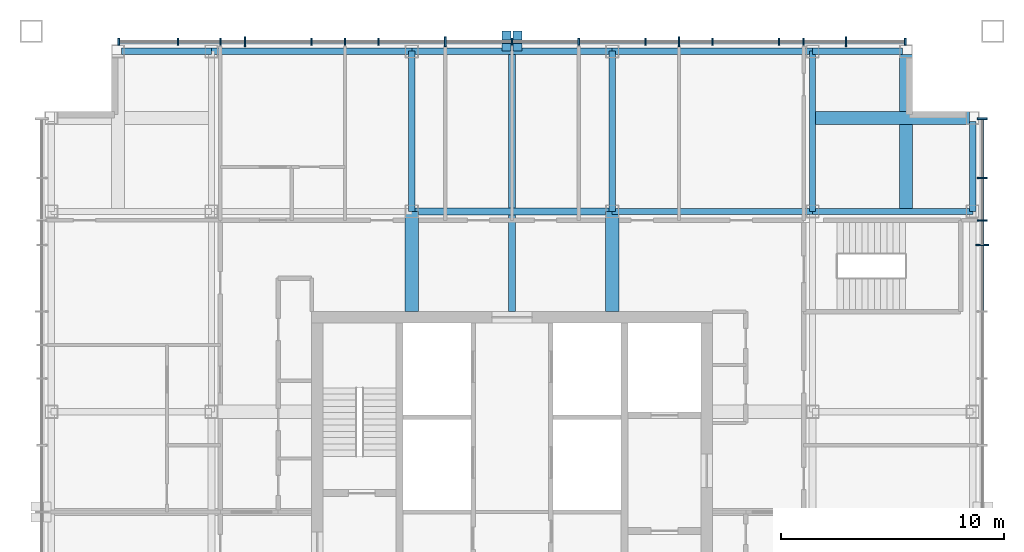
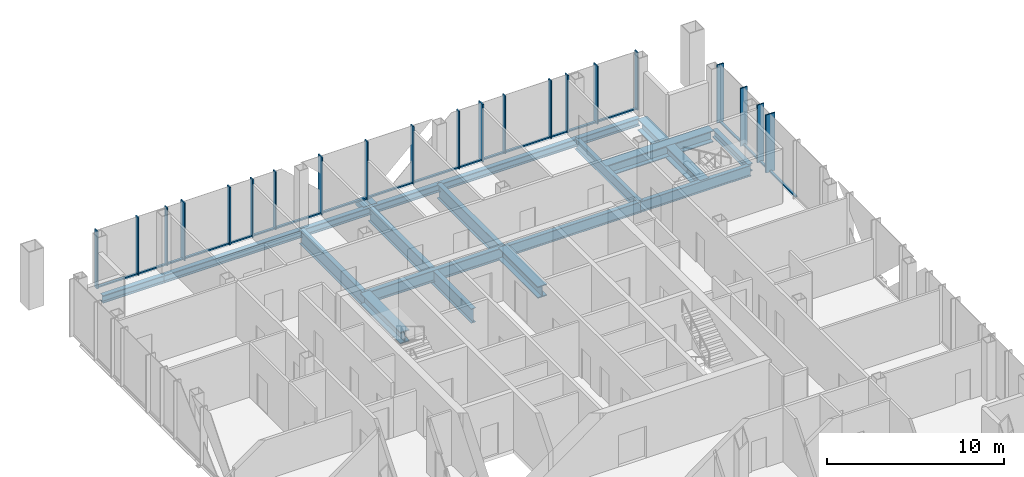
# One storey, part 5 of 12: 43 members, 17 beams, 2 elements without a shape of their own.
"""IFC4 building model written with IfcOpenShell, lengths in metres."""

from ifc_helpers import new_model, si_unit, direction, frame, origin, origin_2d, place, context, subcontext, project, spatial, rectangle, hollow_rectangle, i_section, extrude, material, layer, layer_set, material_profile, profile_set, type_object, element, aggregate, save


model = new_model("IFC4")

# Units and contexts
model_context = context("Model", 3, precision=1e-05, world=origin(), true_north=direction((0.0, 1.0)))
body_context = subcontext(model_context, "Body", "Model", "MODEL_VIEW")
ifc_project = project(units=[si_unit("LENGTHUNIT", "METRE"), si_unit("AREAUNIT", "SQUARE_METRE"), si_unit("VOLUMEUNIT", "CUBIC_METRE"), si_unit("PLANEANGLEUNIT", "RADIAN"), si_unit("MASSUNIT", "GRAM", prefix="KILO")], contexts=[model_context])

# Site, building, storey
site_placement = place(None, origin())
site = spatial("IfcSite", under=ifc_project, at=site_placement, CompositionType="ELEMENT")
building_placement = place(site_placement, origin())
building = spatial("IfcBuilding", under=site, at=building_placement, Name="Malebo Sky Hospital", CompositionType="ELEMENT")
storey_placement = place(building_placement, frame((0.0, 0.0, 270.0)))
storey = spatial("IfcBuildingStorey", under=building, at=storey_placement, Name="L65", CompositionType="ELEMENT", Elevation=270.0)

# Curtain wall, members
ifc_material_1 = material(Name="Anodised aluminium, natural silver", Category="aluminium")
ifc_layer_1 = layer(ifc_material_1, 0.25)
ifc_layer_set_1 = layer_set([ifc_layer_1], Name="WARD CURTAIN WALL NORTH AND SOUTH")
curtain_wall_type_1 = type_object("IfcCurtainWallType", Name="WARD CURTAIN WALL NORTH AND SOUTH", PredefinedType="NOTDEFINED", material=ifc_layer_set_1)
curtain_wall_1_placement = place(storey_placement, origin())
curtain_wall_1 = element("IfcCurtainWall", 1, at=curtain_wall_1_placement, inside=storey, type_object=curtain_wall_type_1, Name="NS curtain wall N", PredefinedType="NOTDEFINED")
ifc_material_profile_1 = material_profile(ifc_material_1, rectangle(XDim=0.14990234375, YDim=0.10009765625, at=origin_2d()), Name="ALUMINIUM TRANSOM 150x100")
ifc_profile_set_1 = profile_set([ifc_material_profile_1], Name="Anodised aluminium, natural silver")
member_type_1 = type_object("IfcMemberType", Name="ALUMINIUM TRANSOM 150x100", PredefinedType="USERDEFINED", material=ifc_profile_set_1)
member_1_placement = place(storey_placement, frame((42.375, 83.125, 0.050048828125), z_axis=(1.0, 0.0, 0.0), x_axis=(0.0, 1.0, 0.0)))
member_1 = element("IfcMember", 2, at=member_1_placement, type_object=member_type_1, Name="Transom 1", ObjectType="TRANSOM", PredefinedType="USERDEFINED", context=body_context, shape_type="SweptSolid", body=[
    extrude(rectangle(XDim=0.14990234375, YDim=0.10009765625, at=origin_2d()), origin(), (0.0, 0.0, 1.0), 2.58740234375),
])
member_2_placement = place(storey_placement, frame((45.03759765625, 83.125, 0.050048828125), z_axis=(1.0, 0.0, 0.0), x_axis=(0.0, 1.0, 0.0)))
member_2 = element("IfcMember", 3, at=member_2_placement, type_object=member_type_1, Name="Transom 2", ObjectType="TRANSOM", PredefinedType="USERDEFINED", context=body_context, shape_type="SweptSolid", body=[
    extrude(rectangle(XDim=0.14990234375, YDim=0.10009765625, at=origin_2d()), origin(), (0.0, 0.0, 1.0), 1.824951171875),
])
member_3_placement = place(storey_placement, frame((46.9375, 83.125, 0.050048828125), z_axis=(1.0, 0.0, 0.0), x_axis=(0.0, 1.0, 0.0)))
member_3 = element("IfcMember", 4, at=member_3_placement, type_object=member_type_1, Name="Transom 3", ObjectType="TRANSOM", PredefinedType="USERDEFINED", context=body_context, shape_type="SweptSolid", body=[
    extrude(rectangle(XDim=0.14990234375, YDim=0.10009765625, at=origin_2d()), origin(), (0.0, 0.0, 1.0), 1.02490234375),
])
member_4_placement = place(storey_placement, frame((48.03759765625, 83.125, 0.050048828125), z_axis=(1.0, 0.0, 0.0), x_axis=(0.0, 1.0, 0.0)))
member_4 = element("IfcMember", 5, at=member_4_placement, type_object=member_type_1, Name="Transom 4", ObjectType="TRANSOM", PredefinedType="USERDEFINED", context=body_context, shape_type="SweptSolid", body=[
    extrude(rectangle(XDim=0.14990234375, YDim=0.10009765625, at=origin_2d()), origin(), (0.0, 0.0, 1.0), 2.9248046875),
])
member_5_placement = place(storey_placement, frame((51.03759765625, 83.125, 0.050048828125), z_axis=(1.0, 0.0, 0.0), x_axis=(0.0, 1.0, 0.0)))
member_5 = element("IfcMember", 6, at=member_5_placement, type_object=member_type_1, Name="Transom 5", ObjectType="TRANSOM", PredefinedType="USERDEFINED", context=body_context, shape_type="SweptSolid", body=[
    extrude(rectangle(XDim=0.14990234375, YDim=0.10009765625, at=origin_2d()), origin(), (0.0, 0.0, 1.0), 1.4248046875),
])
member_6_placement = place(storey_placement, frame((52.53759765625, 83.125, 0.050048828125), z_axis=(1.0, 0.0, 0.0), x_axis=(0.0, 1.0, 0.0)))
member_6 = element("IfcMember", 7, at=member_6_placement, type_object=member_type_1, Name="Transom 6", ObjectType="TRANSOM", PredefinedType="USERDEFINED", context=body_context, shape_type="SweptSolid", body=[
    extrude(rectangle(XDim=0.14990234375, YDim=0.10009765625, at=origin_2d()), origin(), (0.0, 0.0, 1.0), 1.4248046875),
])
member_7_placement = place(storey_placement, frame((54.03759765625, 83.125, 0.050048828125), z_axis=(1.0, 0.0, 0.0), x_axis=(0.0, 1.0, 0.0)))
member_7 = element("IfcMember", 8, at=member_7_placement, type_object=member_type_1, Name="Transom 7", ObjectType="TRANSOM", PredefinedType="USERDEFINED", context=body_context, shape_type="SweptSolid", body=[
    extrude(rectangle(XDim=0.14990234375, YDim=0.10009765625, at=origin_2d()), origin(), (0.0, 0.0, 1.0), 2.9248046875),
])
member_8_placement = place(storey_placement, frame((57.03759765625, 83.125, 0.050048828125), z_axis=(1.0, 0.0, 0.0), x_axis=(0.0, 1.0, 0.0)))
member_8 = element("IfcMember", 9, at=member_8_placement, type_object=member_type_1, Name="Transom 8", ObjectType="TRANSOM", PredefinedType="USERDEFINED", context=body_context, shape_type="SweptSolid", body=[
    extrude(rectangle(XDim=0.14990234375, YDim=0.10009765625, at=origin_2d()), origin(), (0.0, 0.0, 1.0), 2.9248046875),
])
member_9_placement = place(storey_placement, frame((60.03759765625, 83.125, 0.050048828125), z_axis=(1.0, 0.0, 0.0), x_axis=(0.0, 1.0, 0.0)))
member_9 = element("IfcMember", 10, at=member_9_placement, type_object=member_type_1, Name="Transom 9", ObjectType="TRANSOM", PredefinedType="USERDEFINED", context=body_context, shape_type="SweptSolid", body=[
    extrude(rectangle(XDim=0.14990234375, YDim=0.10009765625, at=origin_2d()), origin(), (0.0, 0.0, 1.0), 2.9248046875),
])
member_10_placement = place(storey_placement, frame((63.03759765625, 83.125, 0.050048828125), z_axis=(1.0, 0.0, 0.0), x_axis=(0.0, 1.0, 0.0)))
member_10 = element("IfcMember", 11, at=member_10_placement, type_object=member_type_1, Name="Transom 10", ObjectType="TRANSOM", PredefinedType="USERDEFINED", context=body_context, shape_type="SweptSolid", body=[
    extrude(rectangle(XDim=0.14990234375, YDim=0.10009765625, at=origin_2d()), origin(), (0.0, 0.0, 1.0), 2.9248046875),
])
member_11_placement = place(storey_placement, frame((66.03759765625, 83.125, 0.050048828125), z_axis=(1.0, 0.0, 0.0), x_axis=(0.0, 1.0, 0.0)))
member_11 = element("IfcMember", 12, at=member_11_placement, type_object=member_type_1, Name="Transom 11", ObjectType="TRANSOM", PredefinedType="USERDEFINED", context=body_context, shape_type="SweptSolid", body=[
    extrude(rectangle(XDim=0.14990234375, YDim=0.10009765625, at=origin_2d()), origin(), (0.0, 0.0, 1.0), 1.4248046875),
])
member_12_placement = place(storey_placement, frame((67.53759765625, 83.125, 0.050048828125), z_axis=(1.0, 0.0, 0.0), x_axis=(0.0, 1.0, 0.0)))
member_12 = element("IfcMember", 13, at=member_12_placement, type_object=member_type_1, Name="Transom 12", ObjectType="TRANSOM", PredefinedType="USERDEFINED", context=body_context, shape_type="SweptSolid", body=[
    extrude(rectangle(XDim=0.14990234375, YDim=0.10009765625, at=origin_2d()), origin(), (0.0, 0.0, 1.0), 1.4248046875),
])
member_13_placement = place(storey_placement, frame((69.03759765625, 83.125, 0.050048828125), z_axis=(1.0, 0.0, 0.0), x_axis=(0.0, 1.0, 0.0)))
member_13 = element("IfcMember", 14, at=member_13_placement, type_object=member_type_1, Name="Transom 13", ObjectType="TRANSOM", PredefinedType="USERDEFINED", context=body_context, shape_type="SweptSolid", body=[
    extrude(rectangle(XDim=0.14990234375, YDim=0.10009765625, at=origin_2d()), origin(), (0.0, 0.0, 1.0), 2.9248046875),
])
member_14_placement = place(storey_placement, frame((72.03759765625, 83.125, 0.050048828125), z_axis=(1.0, 0.0, 0.0), x_axis=(0.0, 1.0, 0.0)))
member_14 = element("IfcMember", 15, at=member_14_placement, type_object=member_type_1, Name="Transom 14", ObjectType="TRANSOM", PredefinedType="USERDEFINED", context=body_context, shape_type="SweptSolid", body=[
    extrude(rectangle(XDim=0.14990234375, YDim=0.10009765625, at=origin_2d()), origin(), (0.0, 0.0, 1.0), 1.02490234375),
])
member_15_placement = place(storey_placement, frame((73.137451171875, 83.125, 0.050048828125), z_axis=(1.0, 0.0, 0.0), x_axis=(0.0, 1.0, 0.0)))
member_15 = element("IfcMember", 16, at=member_15_placement, type_object=member_type_1, Name="Transom 15", ObjectType="TRANSOM", PredefinedType="USERDEFINED", context=body_context, shape_type="SweptSolid", body=[
    extrude(rectangle(XDim=0.14990234375, YDim=0.10009765625, at=origin_2d()), origin(), (0.0, 0.0, 1.0), 1.824951171875),
])
member_16_placement = place(storey_placement, frame((75.03759765625, 83.125, 0.050048828125), z_axis=(1.0, 0.0, 0.0), x_axis=(0.0, 1.0, 0.0)))
member_16 = element("IfcMember", 17, at=member_16_placement, type_object=member_type_1, Name="Transom 16", ObjectType="TRANSOM", PredefinedType="USERDEFINED", context=body_context, shape_type="SweptSolid", body=[
    extrude(rectangle(XDim=0.14990234375, YDim=0.10009765625, at=origin_2d()), origin(), (0.0, 0.0, 1.0), 2.58740234375),
])

ifc_layer_2 = layer(ifc_material_1, 0.25)
ifc_layer_set_2 = layer_set([ifc_layer_2], Name="WARD CURTAIN WALL EAST AND WEST")
curtain_wall_type_2 = type_object("IfcCurtainWallType", Name="WARD CURTAIN WALL EAST AND WEST", PredefinedType="NOTDEFINED", material=ifc_layer_set_2)
curtain_wall_2_placement = place(storey_placement, origin())
curtain_wall_2 = element("IfcCurtainWall", 18, at=curtain_wall_2_placement, inside=storey, type_object=curtain_wall_type_2, Name="EW curtain wall E", PredefinedType="NOTDEFINED")
member_17_placement = place(storey_placement, frame((81.125, 79.625, 0.050048828125), z_axis=(0.0, -1.0, 0.0), x_axis=(1.0, 0.0, 0.0)))
member_17 = element("IfcMember", 19, at=member_17_placement, type_object=member_type_1, Name="Transom 1", ObjectType="TRANSOM", PredefinedType="USERDEFINED", context=body_context, shape_type="SweptSolid", body=[
    extrude(rectangle(XDim=0.14990234375, YDim=0.10009765625, at=origin_2d()), origin(), (0.0, 0.0, 1.0), 2.58740234375),
])
member_18_placement = place(storey_placement, frame((81.125, 76.96240234375, 0.050048828125), z_axis=(0.0, -1.0, 0.0), x_axis=(1.0, 0.0, 0.0)))
member_18 = element("IfcMember", 20, at=member_18_placement, type_object=member_type_1, Name="Transom 2", ObjectType="TRANSOM", PredefinedType="USERDEFINED", context=body_context, shape_type="SweptSolid", body=[
    extrude(rectangle(XDim=0.14990234375, YDim=0.10009765625, at=origin_2d()), origin(), (0.0, 0.0, 1.0), 1.824951171875),
])
member_19_placement = place(storey_placement, frame((81.125, 75.0625, 0.050048828125), z_axis=(0.0, -1.0, 0.0), x_axis=(1.0, 0.0, 0.0)))
member_19 = element("IfcMember", 21, at=member_19_placement, type_object=member_type_1, Name="Transom 3", ObjectType="TRANSOM", PredefinedType="USERDEFINED", context=body_context, shape_type="SweptSolid", body=[
    extrude(rectangle(XDim=0.14990234375, YDim=0.10009765625, at=origin_2d()), origin(), (0.0, 0.0, 1.0), 1.02490234375),
])
member_20_placement = place(storey_placement, frame((81.125, 73.96240234375, 0.050048828125), z_axis=(0.0, -1.0, 0.0), x_axis=(1.0, 0.0, 0.0)))
member_20 = element("IfcMember", 22, at=member_20_placement, type_object=member_type_1, Name="Transom 4", ObjectType="TRANSOM", PredefinedType="USERDEFINED", context=body_context, shape_type="SweptSolid", body=[
    extrude(rectangle(XDim=0.14990234375, YDim=0.10009765625, at=origin_2d()), origin(), (0.0, 0.0, 1.0), 2.9248046875),
])

# Members
ifc_material_2 = material(Name="Steel S355", Category="steel")
ifc_material_profile_2 = material_profile(ifc_material_2, hollow_rectangle(XDim=0.39990234375, YDim=0.39990234375, WallThickness=0.02001953125, at=origin_2d()), Name="SHS 400x20")
ifc_profile_set_2 = profile_set([ifc_material_profile_2], Name="Steel S355")
member_type_2 = type_object("IfcMemberType", Name="BRACE STRUT SHS 400x20", PredefinedType="STRUT", material=ifc_profile_set_2)
for number, where, z_axis, x_axis, name in (
    (23, (59.759765625, 83.60009765625, -0.39990234375), (0.0, -1.0, 0.0), (1.0, 0.0, 0.0), "Brace strut DN1 L65"),
    (24, (60.240234375, 83.60009765625, -0.39990234375), (0.0, -1.0, 0.0), (1.0, 0.0, 0.0), "Brace strut DN2 L65"),
):
    element("IfcMember", number, at=place(storey_placement, frame(where, z_axis=z_axis, x_axis=x_axis)), inside=storey, type_object=member_type_2, Name=name, PredefinedType="STRUT", context=body_context, shape_type="SweptSolid", body=[
        extrude(hollow_rectangle(XDim=0.39990234375, YDim=0.39990234375, WallThickness=0.02001953125, at=origin_2d()), origin(), (0.0, 0.0, 1.0), 0.900146484375),
    ])

# Member
ifc_material_profile_3 = material_profile(ifc_material_1, rectangle(XDim=0.074951171875, YDim=0.300048828125, at=origin_2d()), Name="CW1 ALUMINIUM FIN MULLION 75x300")
ifc_profile_set_3 = profile_set([ifc_material_profile_3], Name="Anodised aluminium, natural silver")
member_type_3 = type_object("IfcMemberType", Name="CW1 ALUMINIUM FIN MULLION 75x300", PredefinedType="MULLION", material=ifc_profile_set_3)
member_21_placement = place(storey_placement, frame((42.33740234375, 83.125, 0.0), z_axis=(0.0, 0.0, 1.0), x_axis=(1.0, 0.0, 0.0)))
member_21 = element("IfcMember", 25, at=member_21_placement, type_object=member_type_3, Name="Fin mullion 1", PredefinedType="MULLION", context=body_context, shape_type="SweptSolid", body=[
    extrude(rectangle(XDim=0.074951171875, YDim=0.300048828125, at=origin_2d()), origin(), (0.0, 0.0, 1.0), 4.0),
])

member_22_placement = place(storey_placement, frame((45.0, 83.125, 0.0), z_axis=(0.0, 0.0, 1.0), x_axis=(1.0, 0.0, 0.0)))
member_22 = element("IfcMember", 26, at=member_22_placement, type_object=member_type_3, Name="Fin mullion 2", PredefinedType="MULLION", context=body_context, shape_type="SweptSolid", body=[
    extrude(rectangle(XDim=0.074951171875, YDim=0.300048828125, at=origin_2d()), origin(), (0.0, 0.0, 1.0), 4.0),
])

member_23_placement = place(storey_placement, frame((46.89990234375, 83.125, 0.0), z_axis=(0.0, 0.0, 1.0), x_axis=(1.0, 0.0, 0.0)))
member_23 = element("IfcMember", 27, at=member_23_placement, type_object=member_type_3, Name="Fin mullion 3", PredefinedType="MULLION", context=body_context, shape_type="SweptSolid", body=[
    extrude(rectangle(XDim=0.074951171875, YDim=0.300048828125, at=origin_2d()), origin(), (0.0, 0.0, 1.0), 4.0),
])

member_24_placement = place(storey_placement, frame((51.0, 83.125, 0.0), z_axis=(0.0, 0.0, 1.0), x_axis=(1.0, 0.0, 0.0)))
member_24 = element("IfcMember", 28, at=member_24_placement, type_object=member_type_3, Name="Fin mullion 5", PredefinedType="MULLION", context=body_context, shape_type="SweptSolid", body=[
    extrude(rectangle(XDim=0.074951171875, YDim=0.300048828125, at=origin_2d()), origin(), (0.0, 0.0, 1.0), 4.0),
])

member_25_placement = place(storey_placement, frame((52.5, 83.125, 0.0), z_axis=(0.0, 0.0, 1.0), x_axis=(1.0, 0.0, 0.0)))
member_25 = element("IfcMember", 29, at=member_25_placement, type_object=member_type_3, Name="Fin mullion 6", PredefinedType="MULLION", context=body_context, shape_type="SweptSolid", body=[
    extrude(rectangle(XDim=0.074951171875, YDim=0.300048828125, at=origin_2d()), origin(), (0.0, 0.0, 1.0), 4.0),
])

member_26_placement = place(storey_placement, frame((54.0, 83.125, 0.0), z_axis=(0.0, 0.0, 1.0), x_axis=(1.0, 0.0, 0.0)))
member_26 = element("IfcMember", 30, at=member_26_placement, type_object=member_type_3, Name="Fin mullion 7", PredefinedType="MULLION", context=body_context, shape_type="SweptSolid", body=[
    extrude(rectangle(XDim=0.074951171875, YDim=0.300048828125, at=origin_2d()), origin(), (0.0, 0.0, 1.0), 4.0),
])

member_27_placement = place(storey_placement, frame((60.0, 83.125, 0.0), z_axis=(0.0, 0.0, 1.0), x_axis=(1.0, 0.0, 0.0)))
member_27 = element("IfcMember", 31, at=member_27_placement, type_object=member_type_3, Name="Fin mullion 9", PredefinedType="MULLION", context=body_context, shape_type="SweptSolid", body=[
    extrude(rectangle(XDim=0.074951171875, YDim=0.300048828125, at=origin_2d()), origin(), (0.0, 0.0, 1.0), 4.0),
])

member_28_placement = place(storey_placement, frame((63.0, 83.125, 0.0), z_axis=(0.0, 0.0, 1.0), x_axis=(1.0, 0.0, 0.0)))
member_28 = element("IfcMember", 32, at=member_28_placement, type_object=member_type_3, Name="Fin mullion 10", PredefinedType="MULLION", context=body_context, shape_type="SweptSolid", body=[
    extrude(rectangle(XDim=0.074951171875, YDim=0.300048828125, at=origin_2d()), origin(), (0.0, 0.0, 1.0), 4.0),
])

member_29_placement = place(storey_placement, frame((66.0, 83.125, 0.0), z_axis=(0.0, 0.0, 1.0), x_axis=(1.0, 0.0, 0.0)))
member_29 = element("IfcMember", 33, at=member_29_placement, type_object=member_type_3, Name="Fin mullion 11", PredefinedType="MULLION", context=body_context, shape_type="SweptSolid", body=[
    extrude(rectangle(XDim=0.074951171875, YDim=0.300048828125, at=origin_2d()), origin(), (0.0, 0.0, 1.0), 4.0),
])

member_30_placement = place(storey_placement, frame((69.0, 83.125, 0.0), z_axis=(0.0, 0.0, 1.0), x_axis=(1.0, 0.0, 0.0)))
member_30 = element("IfcMember", 34, at=member_30_placement, type_object=member_type_3, Name="Fin mullion 13", PredefinedType="MULLION", context=body_context, shape_type="SweptSolid", body=[
    extrude(rectangle(XDim=0.074951171875, YDim=0.300048828125, at=origin_2d()), origin(), (0.0, 0.0, 1.0), 4.0),
])

member_31_placement = place(storey_placement, frame((72.0, 83.125, 0.0), z_axis=(0.0, 0.0, 1.0), x_axis=(1.0, 0.0, 0.0)))
member_31 = element("IfcMember", 35, at=member_31_placement, type_object=member_type_3, Name="Fin mullion 14", PredefinedType="MULLION", context=body_context, shape_type="SweptSolid", body=[
    extrude(rectangle(XDim=0.074951171875, YDim=0.300048828125, at=origin_2d()), origin(), (0.0, 0.0, 1.0), 4.0),
])

member_32_placement = place(storey_placement, frame((73.10009765625, 83.125, 0.0), z_axis=(0.0, 0.0, 1.0), x_axis=(1.0, 0.0, 0.0)))
member_32 = element("IfcMember", 36, at=member_32_placement, type_object=member_type_3, Name="Fin mullion 15", PredefinedType="MULLION", context=body_context, shape_type="SweptSolid", body=[
    extrude(rectangle(XDim=0.074951171875, YDim=0.300048828125, at=origin_2d()), origin(), (0.0, 0.0, 1.0), 4.0),
])

member_33_placement = place(storey_placement, frame((77.66259765625, 83.125, 0.0), z_axis=(0.0, 0.0, 1.0), x_axis=(1.0, 0.0, 0.0)))
member_33 = element("IfcMember", 37, at=member_33_placement, type_object=member_type_3, Name="Fin mullion 17", PredefinedType="MULLION", context=body_context, shape_type="SweptSolid", body=[
    extrude(rectangle(XDim=0.074951171875, YDim=0.300048828125, at=origin_2d()), origin(), (0.0, 0.0, 1.0), 4.0),
])

ifc_material_profile_4 = material_profile(ifc_material_1, rectangle(XDim=0.074951171875, YDim=0.449951171875, at=origin_2d()), Name="CW1 ALUMINIUM FIN MULLION 75x450")
ifc_profile_set_4 = profile_set([ifc_material_profile_4], Name="Anodised aluminium, natural silver")
member_type_4 = type_object("IfcMemberType", Name="CW1 ALUMINIUM FIN MULLION 75x450", PredefinedType="MULLION", material=ifc_profile_set_4)
member_34_placement = place(storey_placement, frame((48.0, 83.125, 0.0), z_axis=(0.0, 0.0, 1.0), x_axis=(1.0, 0.0, 0.0)))
member_34 = element("IfcMember", 38, at=member_34_placement, type_object=member_type_4, Name="Fin mullion 4", PredefinedType="MULLION", context=body_context, shape_type="SweptSolid", body=[
    extrude(rectangle(XDim=0.074951171875, YDim=0.449951171875, at=origin_2d()), origin(), (0.0, 0.0, 1.0), 4.0),
])

member_35_placement = place(storey_placement, frame((57.0, 83.125, 0.0), z_axis=(0.0, 0.0, 1.0), x_axis=(1.0, 0.0, 0.0)))
member_35 = element("IfcMember", 39, at=member_35_placement, type_object=member_type_4, Name="Fin mullion 8", PredefinedType="MULLION", context=body_context, shape_type="SweptSolid", body=[
    extrude(rectangle(XDim=0.074951171875, YDim=0.449951171875, at=origin_2d()), origin(), (0.0, 0.0, 1.0), 4.0),
])

member_36_placement = place(storey_placement, frame((67.5, 83.125, 0.0), z_axis=(0.0, 0.0, 1.0), x_axis=(1.0, 0.0, 0.0)))
member_36 = element("IfcMember", 40, at=member_36_placement, type_object=member_type_4, Name="Fin mullion 12", PredefinedType="MULLION", context=body_context, shape_type="SweptSolid", body=[
    extrude(rectangle(XDim=0.074951171875, YDim=0.449951171875, at=origin_2d()), origin(), (0.0, 0.0, 1.0), 4.0),
])

member_37_placement = place(storey_placement, frame((75.0, 83.125, 0.0), z_axis=(0.0, 0.0, 1.0), x_axis=(1.0, 0.0, 0.0)))
member_37 = element("IfcMember", 41, at=member_37_placement, type_object=member_type_4, Name="Fin mullion 16", PredefinedType="MULLION", context=body_context, shape_type="SweptSolid", body=[
    extrude(rectangle(XDim=0.074951171875, YDim=0.449951171875, at=origin_2d()), origin(), (0.0, 0.0, 1.0), 4.0),
])

aggregate(curtain_wall_1, [member_21, member_22, member_23, member_34, member_24, member_25, member_26, member_35, member_27, member_28, member_29, member_36, member_30, member_31, member_32, member_37, member_33, member_1, member_2, member_3, member_4, member_5, member_6, member_7, member_8, member_9, member_10, member_11, member_12, member_13, member_14, member_15, member_16])

ifc_material_profile_5 = material_profile(ifc_material_1, rectangle(XDim=0.074951171875, YDim=0.449951171875, at=origin_2d()), Name="CW2 ALUMINIUM FIN MULLION 75x450")
ifc_profile_set_5 = profile_set([ifc_material_profile_5], Name="Anodised aluminium, natural silver")
member_type_5 = type_object("IfcMemberType", Name="CW2 ALUMINIUM FIN MULLION 75x450", PredefinedType="MULLION", material=ifc_profile_set_5)
member_38_placement = place(storey_placement, frame((81.125, 79.66259765625, 0.0), z_axis=(0.0, 0.0, 1.0), x_axis=(0.0, -1.0, 0.0)))
member_38 = element("IfcMember", 42, at=member_38_placement, type_object=member_type_5, Name="Fin mullion 1", PredefinedType="MULLION", context=body_context, shape_type="SweptSolid", body=[
    extrude(rectangle(XDim=0.074951171875, YDim=0.449951171875, at=origin_2d()), origin(), (0.0, 0.0, 1.0), 4.0),
])

member_39_placement = place(storey_placement, frame((81.125, 77.0, 0.0), z_axis=(0.0, 0.0, 1.0), x_axis=(0.0, -1.0, 0.0)))
member_39 = element("IfcMember", 43, at=member_39_placement, type_object=member_type_5, Name="Fin mullion 2", PredefinedType="MULLION", context=body_context, shape_type="SweptSolid", body=[
    extrude(rectangle(XDim=0.074951171875, YDim=0.449951171875, at=origin_2d()), origin(), (0.0, 0.0, 1.0), 4.0),
])

member_40_placement = place(storey_placement, frame((81.125, 75.10009765625, 0.0), z_axis=(0.0, 0.0, 1.0), x_axis=(0.0, -1.0, 0.0)))
member_40 = element("IfcMember", 44, at=member_40_placement, type_object=member_type_5, Name="Fin mullion 3", PredefinedType="MULLION", context=body_context, shape_type="SweptSolid", body=[
    extrude(rectangle(XDim=0.074951171875, YDim=0.449951171875, at=origin_2d()), origin(), (0.0, 0.0, 1.0), 4.0),
])

ifc_material_profile_6 = material_profile(ifc_material_1, rectangle(XDim=0.074951171875, YDim=0.60009765625, at=origin_2d()), Name="CW2 ALUMINIUM FIN MULLION 75x600")
ifc_profile_set_6 = profile_set([ifc_material_profile_6], Name="Anodised aluminium, natural silver")
member_type_6 = type_object("IfcMemberType", Name="CW2 ALUMINIUM FIN MULLION 75x600", PredefinedType="MULLION", material=ifc_profile_set_6)
member_41_placement = place(storey_placement, frame((81.125, 74.0, 0.0), z_axis=(0.0, 0.0, 1.0), x_axis=(0.0, -1.0, 0.0)))
member_41 = element("IfcMember", 45, at=member_41_placement, type_object=member_type_6, Name="Fin mullion 4", PredefinedType="MULLION", context=body_context, shape_type="SweptSolid", body=[
    extrude(rectangle(XDim=0.074951171875, YDim=0.60009765625, at=origin_2d()), origin(), (0.0, 0.0, 1.0), 4.0),
])

aggregate(curtain_wall_2, [member_38, member_39, member_40, member_41, member_17, member_18, member_19, member_20])

# Beams
ifc_material_profile_7 = material_profile(ifc_material_2, i_section(OverallWidth=0.305908203125, OverallDepth=0.52392578125, WebThickness=0.02099609375, FlangeThickness=0.0400390625, FilletRadius=0.027099609375, at=origin_2d()), Name="HEM 500")
ifc_profile_set_7 = profile_set([ifc_material_profile_7], Name="Steel S355")
beam_type_1 = type_object("IfcBeamType", Name="EDGE BEAM HEM 500", PredefinedType="BEAM", material=ifc_profile_set_7)
for number, where, z_axis, x_axis, name in (
    (46, (80.699951171875, 75.5, -0.511962890625), (0.0, 1.0, 0.0), (-1.0, 0.0, 0.0), "Beam 033 L65"),
    (47, (42.449951171875, 82.699951171875, -0.511962890625), (1.0, 0.0, 0.0), (0.0, 1.0, 0.0), "Beam 063 L65"),
):
    element("IfcBeam", number, at=place(storey_placement, frame(where, z_axis=z_axis, x_axis=x_axis)), inside=storey, type_object=beam_type_1, Name=name, PredefinedType="BEAM", context=body_context, shape_type="SweptSolid", body=[
        extrude(i_section(OverallWidth=0.305908203125, OverallDepth=0.52392578125, WebThickness=0.02099609375, FlangeThickness=0.0400390625, FilletRadius=0.027099609375, at=origin_2d()), origin(), (0.0, 0.0, 1.0), 4.050048828125),
    ])
for number, where, z_axis, x_axis, name in (
    (48, (46.5, 82.699951171875, -0.511962890625), (1.0, 0.0, 0.0), (0.0, 1.0, 0.0), "Beam 064 L65"),
    (49, (55.5, 82.699951171875, -0.511962890625), (1.0, 0.0, 0.0), (0.0, 1.0, 0.0), "Beam 065 L65"),
    (50, (64.5, 82.699951171875, -0.511962890625), (1.0, 0.0, 0.0), (0.0, 1.0, 0.0), "Beam 066 L65"),
):
    element("IfcBeam", number, at=place(storey_placement, frame(where, z_axis=z_axis, x_axis=x_axis)), inside=storey, type_object=beam_type_1, Name=name, PredefinedType="BEAM", context=body_context, shape_type="SweptSolid", body=[
        extrude(i_section(OverallWidth=0.305908203125, OverallDepth=0.52392578125, WebThickness=0.02099609375, FlangeThickness=0.0400390625, FilletRadius=0.027099609375, at=origin_2d()), origin(), (0.0, 0.0, 1.0), 9.0),
    ])
beam_1_placement = place(storey_placement, frame((73.5, 82.699951171875, -0.511962890625), z_axis=(1.0, 0.0, 0.0), x_axis=(0.0, 1.0, 0.0)))
element("IfcBeam", 51, at=beam_1_placement, inside=storey, type_object=beam_type_1, Name="Beam 067 L65", PredefinedType="BEAM", context=body_context, shape_type="SweptSolid", body=[
    extrude(i_section(OverallWidth=0.305908203125, OverallDepth=0.52392578125, WebThickness=0.02099609375, FlangeThickness=0.0400390625, FilletRadius=0.027099609375, at=origin_2d()), origin(), (0.0, 0.0, 1.0), 4.050048828125),
])
ifc_material_profile_8 = material_profile(ifc_material_2, i_section(OverallWidth=0.300048828125, OverallDepth=1.0, WebThickness=0.01904296875, FlangeThickness=0.035888671875, FilletRadius=0.030029296875, at=origin_2d()), Name="HEB 1000")
ifc_profile_set_8 = profile_set([ifc_material_profile_8], Name="Steel S355")
beam_type_2 = type_object("IfcBeamType", Name="FLOOR BEAM HEB 1000", PredefinedType="BEAM", material=ifc_profile_set_8)
beam_2_placement = place(storey_placement, frame((55.5, 75.5, -0.75), z_axis=(0.0, 1.0, 0.0), x_axis=(-1.0, 0.0, 0.0)))
element("IfcBeam", 52, at=beam_2_placement, inside=storey, type_object=beam_type_2, Name="Beam 015 L65", PredefinedType="BEAM", context=body_context, shape_type="SweptSolid", body=[
    extrude(i_section(OverallWidth=0.300048828125, OverallDepth=1.0, WebThickness=0.01904296875, FlangeThickness=0.035888671875, FilletRadius=0.030029296875, at=origin_2d()), origin(), (0.0, 0.0, 1.0), 7.199951171875),
])
beam_3_placement = place(storey_placement, frame((60.0, 71.0, -0.75), z_axis=(0.0, 1.0, 0.0), x_axis=(-1.0, 0.0, 0.0)))
element("IfcBeam", 53, at=beam_3_placement, inside=storey, type_object=beam_type_2, Name="Beam 017 L65", PredefinedType="BEAM", context=body_context, shape_type="SweptSolid", body=[
    extrude(i_section(OverallWidth=0.300048828125, OverallDepth=1.0, WebThickness=0.01904296875, FlangeThickness=0.035888671875, FilletRadius=0.030029296875, at=origin_2d()), origin(), (0.0, 0.0, 1.0), 11.699951171875),
])
beam_4_placement = place(storey_placement, frame((64.5, 75.5, -0.75), z_axis=(0.0, 1.0, 0.0), x_axis=(-1.0, 0.0, 0.0)))
element("IfcBeam", 54, at=beam_4_placement, inside=storey, type_object=beam_type_2, Name="Beam 021 L65", PredefinedType="BEAM", context=body_context, shape_type="SweptSolid", body=[
    extrude(i_section(OverallWidth=0.300048828125, OverallDepth=1.0, WebThickness=0.01904296875, FlangeThickness=0.035888671875, FilletRadius=0.030029296875, at=origin_2d()), origin(), (0.0, 0.0, 1.0), 7.199951171875),
])
ifc_material_profile_9 = material_profile(ifc_material_2, i_section(OverallWidth=0.26708984375, OverallDepth=0.761962890625, WebThickness=0.014404296875, FlangeThickness=0.021484375, FilletRadius=0.01708984375, at=origin_2d()), Name="IPE 750x173")
ifc_profile_set_9 = profile_set([ifc_material_profile_9], Name="Steel S355")
beam_type_3 = type_object("IfcBeamType", Name="FLOOR BEAM IPE 750x173", PredefinedType="BEAM", material=ifc_profile_set_9)
beam_5_placement = place(storey_placement, frame((64.5, 75.5, -0.631103515625), z_axis=(1.0, 0.0, 0.0), x_axis=(0.0, 1.0, 0.0)))
element("IfcBeam", 55, at=beam_5_placement, inside=storey, type_object=beam_type_3, Name="Beam 059 L65", PredefinedType="BEAM", context=body_context, shape_type="SweptSolid", body=[
    extrude(i_section(OverallWidth=0.26708984375, OverallDepth=0.761962890625, WebThickness=0.014404296875, FlangeThickness=0.021484375, FilletRadius=0.01708984375, at=origin_2d()), origin(), (0.0, 0.0, 1.0), 9.0),
])
ifc_material_profile_10 = material_profile(ifc_material_2, i_section(OverallWidth=0.60009765625, OverallDepth=0.800048828125, WebThickness=0.0400390625, FlangeThickness=0.06005859375, at=origin_2d()), Name="PG 800x600x40x60")
ifc_profile_set_10 = profile_set([ifc_material_profile_10], Name="Steel S355")
beam_type_4 = type_object("IfcBeamType", Name="FLOOR BEAM PG 800x600x40x60", PredefinedType="BEAM", material=ifc_profile_set_10)
for number, where, z_axis, x_axis, name in (
    (56, (55.5, 71.0, -0.64990234375), (0.0, 1.0, 0.0), (-1.0, 0.0, 0.0), "Beam 014 L65"),
    (57, (64.5, 71.0, -0.64990234375), (0.0, 1.0, 0.0), (-1.0, 0.0, 0.0), "Beam 020 L65"),
):
    element("IfcBeam", number, at=place(storey_placement, frame(where, z_axis=z_axis, x_axis=x_axis)), inside=storey, type_object=beam_type_4, Name=name, PredefinedType="BEAM", context=body_context, shape_type="SweptSolid", body=[
        extrude(i_section(OverallWidth=0.60009765625, OverallDepth=0.800048828125, WebThickness=0.0400390625, FlangeThickness=0.06005859375, at=origin_2d()), origin(), (0.0, 0.0, 1.0), 4.5),
    ])
for number, where, z_axis, x_axis, name in (
    (58, (77.699951171875, 75.5, -0.64990234375), (0.0, 1.0, 0.0), (-1.0, 0.0, 0.0), "Beam 028 L65"),
    (59, (73.5, 79.699951171875, -0.64990234375), (1.0, 0.0, 0.0), (0.0, 1.0, 0.0), "Beam 062 L65"),
):
    element("IfcBeam", number, at=place(storey_placement, frame(where, z_axis=z_axis, x_axis=x_axis)), inside=storey, type_object=beam_type_4, Name=name, PredefinedType="BEAM", context=body_context, shape_type="SweptSolid", body=[
        extrude(i_section(OverallWidth=0.60009765625, OverallDepth=0.800048828125, WebThickness=0.0400390625, FlangeThickness=0.06005859375, at=origin_2d()), origin(), (0.0, 0.0, 1.0), 7.050048828125),
    ])
ifc_material_profile_11 = material_profile(ifc_material_2, i_section(OverallWidth=0.262939453125, OverallDepth=0.7529296875, WebThickness=0.011474609375, FlangeThickness=0.01708984375, FilletRadius=0.01708984375, at=origin_2d()), Name="IPE 750x137")
ifc_profile_set_11 = profile_set([ifc_material_profile_11], Name="Steel S355")
beam_type_5 = type_object("IfcBeamType", Name="FLOOR GIRDER IPE 750x137", PredefinedType="BEAM", material=ifc_profile_set_11)
for number, where, z_axis, x_axis, name in (
    (60, (73.5, 75.5, -0.62646484375), (0.0, 1.0, 0.0), (-1.0, 0.0, 0.0), "Beam 026 L65"),
    (61, (73.5, 75.5, -0.62646484375), (1.0, 0.0, 0.0), (0.0, 1.0, 0.0), "Beam 060 L65"),
):
    element("IfcBeam", number, at=place(storey_placement, frame(where, z_axis=z_axis, x_axis=x_axis)), inside=storey, type_object=beam_type_5, Name=name, PredefinedType="BEAM", context=body_context, shape_type="SweptSolid", body=[
        extrude(i_section(OverallWidth=0.262939453125, OverallDepth=0.7529296875, WebThickness=0.011474609375, FlangeThickness=0.01708984375, FilletRadius=0.01708984375, at=origin_2d()), origin(), (0.0, 0.0, 1.0), 7.199951171875),
    ])
ifc_material_profile_12 = material_profile(ifc_material_2, i_section(OverallWidth=0.300048828125, OverallDepth=0.800048828125, WebThickness=0.017578125, FlangeThickness=0.032958984375, FilletRadius=0.030029296875, at=origin_2d()), Name="HEB 800")
ifc_profile_set_12 = profile_set([ifc_material_profile_12], Name="Steel S355")
beam_type_6 = type_object("IfcBeamType", Name="RING GIRDER HEB 800", PredefinedType="BEAM", material=ifc_profile_set_12)
beam_6_placement = place(storey_placement, frame((55.5, 75.5, -0.64990234375), z_axis=(1.0, 0.0, 0.0), x_axis=(0.0, 1.0, 0.0)))
element("IfcBeam", 62, at=beam_6_placement, inside=storey, type_object=beam_type_6, Name="Beam 058 L65", PredefinedType="BEAM", context=body_context, shape_type="SweptSolid", body=[
    extrude(i_section(OverallWidth=0.300048828125, OverallDepth=0.800048828125, WebThickness=0.017578125, FlangeThickness=0.032958984375, FilletRadius=0.030029296875, at=origin_2d()), origin(), (0.0, 0.0, 1.0), 9.0),
])

save(model, "model.ifc")
